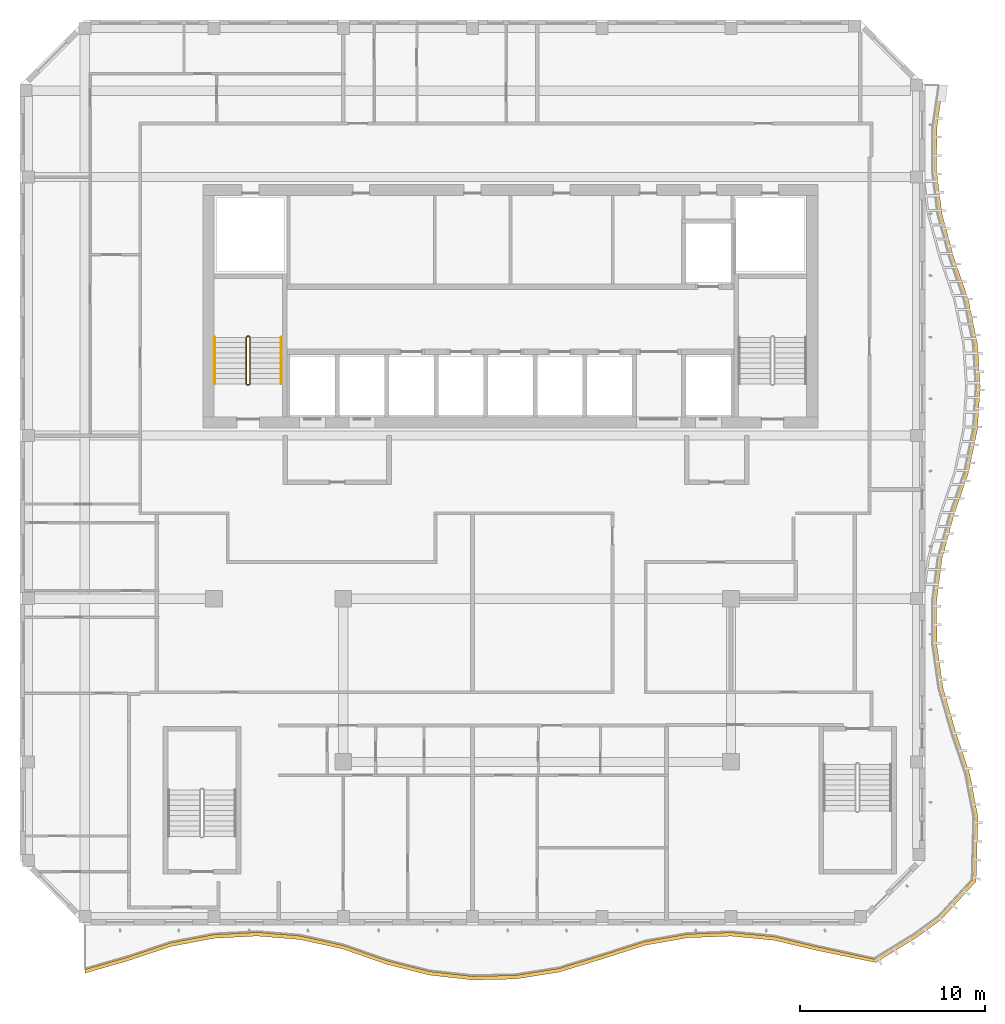
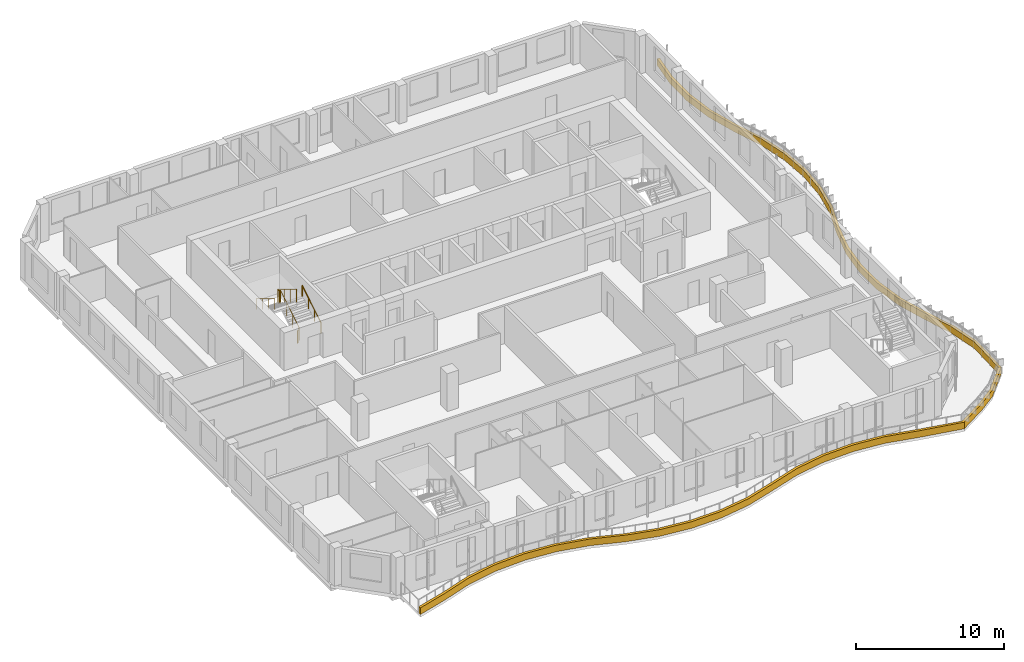
# One storey, part 13 of 18: 3 railings, 1 shading device.
"""IFC4 building model written with IfcOpenShell, lengths in metres."""

from ifc_helpers import new_model, si_unit, direction, frame, origin, origin_2d, place, context, subcontext, project, spatial, polyline, circle, outline, extrude, source, transform, mapped, material, layer, layer_set, type_object, element, save


model = new_model("IFC4")

# Units and contexts
model_context = context("Model", 3, precision=1e-05, world=origin(), true_north=direction((0.0, 1.0)))
body_context = subcontext(model_context, "Body", "Model", "MODEL_VIEW")
ifc_project = project(units=[si_unit("LENGTHUNIT", "METRE"), si_unit("AREAUNIT", "SQUARE_METRE"), si_unit("VOLUMEUNIT", "CUBIC_METRE"), si_unit("PLANEANGLEUNIT", "RADIAN"), si_unit("MASSUNIT", "GRAM", prefix="KILO")], contexts=[model_context])

# Site, building, storey
site_placement = place(None, origin())
site = spatial("IfcSite", under=ifc_project, at=site_placement, CompositionType="ELEMENT")
building_placement = place(site_placement, origin())
building = spatial("IfcBuilding", under=site, at=building_placement, Name="Kilnfold Tower and Market Hall", CompositionType="ELEMENT")
storey_placement = place(building_placement, frame((0.0, 0.0, 280.60009765625)))
storey = spatial("IfcBuildingStorey", under=building, at=storey_placement, Name="L69", CompositionType="ELEMENT", Elevation=280.60009765625)

# Railings
ifc_material_1 = material(Name="Stainless steel 316", Category="steel")
railing_type_1 = type_object("IfcRailingType", Name="CORE STAIR GUARD 1100", PredefinedType="GUARDRAIL", material=ifc_material_1)
railing_1_placement = place(storey_placement, frame((-13.199951171875, 10.75, 0.0)))
element("IfcRailing", 1, at=railing_1_placement, inside=storey, type_object=railing_type_1, Name="L69 ST1 stair guard 1", PredefinedType="GUARDRAIL", context=body_context, shape_type="SweptSolid", body=[
    extrude(circle(Radius=0.02392578125, at=origin_2d()), frame((0.0, 0.0, 1.076171875), z_axis=(1.0, 0.0, 0.0), x_axis=(0.0, 1.0, 0.0)), (0.0, 0.0, 1.0), 0.099853515625),
    extrude(circle(Radius=0.02392578125, at=origin_2d()), frame((0.099853515625, 0.0, 1.076171875), z_axis=(0.271895245746, 0.271895245746, 0.923117517265), x_axis=(-0.707106781187, 0.707106781187, 0.0)), (0.0, 0.0, 1.0), 0.18408203125),
    extrude(circle(Radius=0.02392578125, at=origin_2d()), frame((0.14990234375, 0.050048828125, 1.24609375), z_axis=(0.0, 0.85478489116, 0.518982456201), x_axis=(-1.0, 0.0, 0.0)), (0.0, 0.0, 1.0), 2.9482421875),
    extrude(circle(Radius=0.02392578125, at=origin_2d()), frame((0.14990234375, 2.570068359375, 2.77587890625), z_axis=(-0.707106781187, 0.707106781187, 0.0), x_axis=(-0.707106781187, -0.707106781187, 0.0)), (0.0, 0.0, 1.0), 0.07080078125),
    extrude(circle(Radius=0.02392578125, at=origin_2d()), frame((0.099853515625, 2.6201171875, 2.77587890625), z_axis=(-1.0, 0.0, 0.0), x_axis=(0.0, -1.0, 0.0)), (0.0, 0.0, 1.0), 0.099853515625),
    extrude(circle(Radius=0.02392578125, at=origin_2d()), frame((0.0, 2.6201171875, 2.77587890625), z_axis=(-0.271895245746, -0.271895245746, 0.923117517265), x_axis=(0.707106781187, -0.707106781187, 0.0)), (0.0, 0.0, 1.0), 0.18408203125),
    extrude(circle(Radius=0.02392578125, at=origin_2d()), frame((-0.050048828125, 2.570068359375, 2.94580078125), z_axis=(0.0, -0.85478489116, 0.518982456201), x_axis=(1.0, 0.0, 0.0)), (0.0, 0.0, 1.0), 2.9482421875),
    extrude(circle(Radius=0.02099609375, at=origin_2d()), origin(), (0.0, 0.0, 1.0), 1.052001953125),
    extrude(circle(Radius=0.02099609375, at=origin_2d()), frame((0.099853515625, 0.0, 0.0)), (0.0, 0.0, 1.0), 1.052001953125),
    extrude(circle(Radius=0.02099609375, at=origin_2d()), frame((0.14990234375, 0.050048828125, 0.169921875)), (0.0, 0.0, 1.0), 1.052001953125),
    extrude(circle(Radius=0.02099609375, at=origin_2d()), frame((0.14990234375, 0.89013671875, 0.679931640625)), (0.0, 0.0, 1.0), 1.052001953125),
    extrude(circle(Radius=0.02099609375, at=origin_2d()), frame((0.14990234375, 1.72998046875, 1.18994140625)), (0.0, 0.0, 1.0), 1.052001953125),
    extrude(circle(Radius=0.02099609375, at=origin_2d()), frame((0.14990234375, 2.570068359375, 1.699951171875)), (0.0, 0.0, 1.0), 1.052001953125),
    extrude(circle(Radius=0.02099609375, at=origin_2d()), frame((0.099853515625, 2.6201171875, 1.699951171875)), (0.0, 0.0, 1.0), 1.052001953125),
    extrude(circle(Radius=0.02099609375, at=origin_2d()), frame((0.0, 2.6201171875, 1.699951171875)), (0.0, 0.0, 1.0), 1.052001953125),
    extrude(circle(Radius=0.02099609375, at=origin_2d()), frame((-0.050048828125, 2.570068359375, 1.869873046875)), (0.0, 0.0, 1.0), 1.052001953125),
    extrude(circle(Radius=0.02099609375, at=origin_2d()), frame((-0.050048828125, 1.72998046875, 2.3798828125)), (0.0, 0.0, 1.0), 1.052001953125),
    extrude(circle(Radius=0.02099609375, at=origin_2d()), frame((-0.050048828125, 0.89013671875, 2.889892578125)), (0.0, 0.0, 1.0), 1.052001953125),
    extrude(circle(Radius=0.02099609375, at=origin_2d()), frame((-0.050048828125, 0.050048828125, 3.39990234375)), (0.0, 0.0, 1.0), 1.052001953125),
])
ifc_material_2 = material(Name="Stainless steel 316", Category="steel")
railing_type_2 = type_object("IfcRailingType", Name="CORE STAIR HANDRAIL 900", PredefinedType="HANDRAIL", material=ifc_material_2)
railing_2_placement = place(storey_placement, frame((-11.35009765625, 10.800048828125, 0.169921875)))
element("IfcRailing", 2, at=railing_2_placement, inside=storey, type_object=railing_type_2, Name="L69 ST1 stair handrail 1", PredefinedType="HANDRAIL", context=body_context, shape_type="SweptSolid", body=[
    extrude(circle(Radius=0.02392578125, at=origin_2d()), frame((0.0, 0.0, 0.8759765625), z_axis=(0.0, 0.85478489116, 0.518982456201), x_axis=(-1.0, 0.0, 0.0)), (0.0, 0.0, 1.0), 2.9482421875),
    extrude(circle(Radius=0.02099609375, at=origin_2d()), origin(), (0.0, 0.0, 1.0), 0.851806640625),
    extrude(circle(Radius=0.02099609375, at=origin_2d()), frame((0.0, 0.840087890625, 0.510009765625)), (0.0, 0.0, 1.0), 0.851806640625),
    extrude(circle(Radius=0.02099609375, at=origin_2d()), frame((0.0, 1.679931640625, 1.02001953125)), (0.0, 0.0, 1.0), 0.851806640625),
    extrude(circle(Radius=0.02099609375, at=origin_2d()), frame((0.0, 2.52001953125, 1.530029296875)), (0.0, 0.0, 1.0), 0.851806640625),
])
railing_3_placement = place(storey_placement, frame((-14.949951171875, 13.320068359375, 1.869873046875)))
element("IfcRailing", 3, at=railing_3_placement, inside=storey, type_object=railing_type_2, Name="L69 ST1 stair handrail 2", PredefinedType="HANDRAIL", context=body_context, shape_type="SweptSolid", body=[
    extrude(circle(Radius=0.02392578125, at=origin_2d()), frame((0.0, 0.0, 0.8759765625), z_axis=(0.0, -0.85478489116, 0.518982456201), x_axis=(1.0, 0.0, 0.0)), (0.0, 0.0, 1.0), 2.9482421875),
    extrude(circle(Radius=0.02099609375, at=origin_2d()), origin(), (0.0, 0.0, 1.0), 0.851806640625),
    extrude(circle(Radius=0.02099609375, at=origin_2d()), frame((0.0, -0.840087890625, 0.510009765625)), (0.0, 0.0, 1.0), 0.851806640625),
    extrude(circle(Radius=0.02099609375, at=origin_2d()), frame((0.0, -1.679931640625, 1.02001953125)), (0.0, 0.0, 1.0), 0.851806640625),
    extrude(circle(Radius=0.02099609375, at=origin_2d()), frame((0.0, -2.52001953125, 1.530029296875)), (0.0, 0.0, 1.0), 0.851806640625),
])

# Shading device
ifc_material_3 = material(Name="Precast concrete C50/60", Category="concrete")
ifc_layer = layer(ifc_material_3, 0.550048828125)
ifc_layer_set = layer_set([ifc_layer], Name="Precast concrete C50/60")
shading_device_type = type_object("IfcShadingDeviceType", Name="BALCONY UPSTAND 550", PredefinedType="USERDEFINED", material=ifc_layer_set)
shared_shape = source(origin(), body_context, "Body", "SweptSolid", [
    extrude(outline(polyline([(-22.0, -21.117431640625), (-19.666748046875, -20.447265625), (-17.333251953125, -19.66748046875), (-15.0, -19.22412109375), (-12.666748046875, -19.101806640625), (-10.333251953125, -19.293701171875), (-8.0, -19.810302734375), (-5.666748046875, -20.62548828125), (-3.333251953125, -21.218994140625), (-1.0, -21.482421875), (1.333251953125, -21.430908203125), (3.666748046875, -21.061767578125), (6.0, -20.35302734375), (8.333251953125, -19.603515625), (10.666748046875, -19.19580078125), (13.0, -19.107421875), (15.333251953125, -19.33349609375), (17.666748046875, -19.88671875), (20.844482421875, -20.53857421875), (23.02978515625, -19.1962890625), (24.38134765625, -18.214599609375), (26.27001953125, -16.1474609375), (26.374755859375, -12.666748046875), (25.930419921875, -10.333251953125), (25.1494140625, -8.0), (24.480712890625, -5.666748046875), (24.147705078125, -3.333251953125), (24.13134765625, -1.0), (24.4306640625, 1.333251953125), (25.06298828125, 3.666748046875), (25.864501953125, 6.0), (26.343505859375, 8.333251953125), (26.5, 10.666748046875), (26.34228515625, 13.0), (25.862060546875, 15.333251953125), (25.059814453125, 17.666748046875), (24.428955078125, 20.0), (24.130859375, 22.333251953125), (24.1484375, 24.666748046875), (24.482421875, 27.0), (24.282470703125, 27.0), (23.948486328125, 24.666748046875), (23.930908203125, 22.333251953125), (24.22900390625, 20.0), (24.85986328125, 17.666748046875), (25.662109375, 15.333251953125), (26.142333984375, 13.0), (26.300048828125, 10.666748046875), (26.1435546875, 8.333251953125), (25.66455078125, 6.0), (24.86279296875, 3.666748046875), (24.230712890625, 1.333251953125), (23.931396484375, -1.0), (23.94775390625, -3.333251953125), (24.28076171875, -5.666748046875), (24.949462890625, -8.0), (25.730224609375, -10.333251953125), (26.1748046875, -12.666748046875), (26.085205078125, -16.07080078125), (24.239990234375, -18.0732421875), (22.888427734375, -19.054931640625), (20.767822265625, -20.353759765625), (17.666748046875, -19.686767578125), (15.333251953125, -19.133544921875), (13.0, -18.907470703125), (10.666748046875, -18.995849609375), (8.333251953125, -19.4033203125), (6.0, -20.153076171875), (3.666748046875, -20.86181640625), (1.333251953125, -21.23095703125), (-1.0, -21.282470703125), (-3.333251953125, -21.018798828125), (-5.666748046875, -20.42529296875), (-8.0, -19.6103515625), (-10.333251953125, -19.093505859375), (-12.666748046875, -18.90185546875), (-15.0, -19.024169921875), (-17.333251953125, -19.46728515625), (-19.666748046875, -20.247314453125), (-22.0, -20.91748046875), (-22.0, -21.117431640625)])), origin(), (0.0, 0.0, 1.0), 0.5498046875),
])
shading_device_placement = place(storey_placement, origin())
element("IfcShadingDevice", 4, at=shading_device_placement, inside=storey, type_object=shading_device_type, Name="Balcony fascia L69", ObjectType="FASCIA", PredefinedType="USERDEFINED", context=body_context, shape_type="MappedRepresentation", body=[
    mapped(shared_shape, transform((0.0, 0.0, 0.0))),
])

save(model, "model.ifc")
